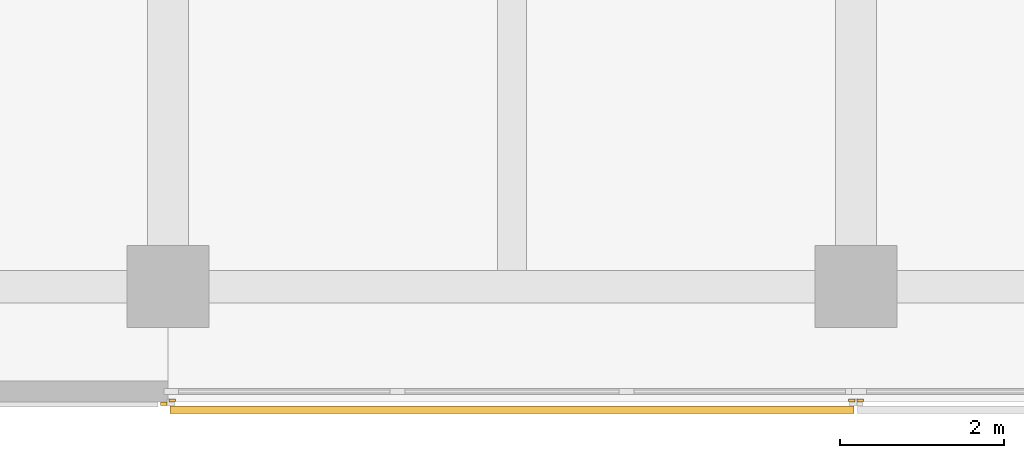
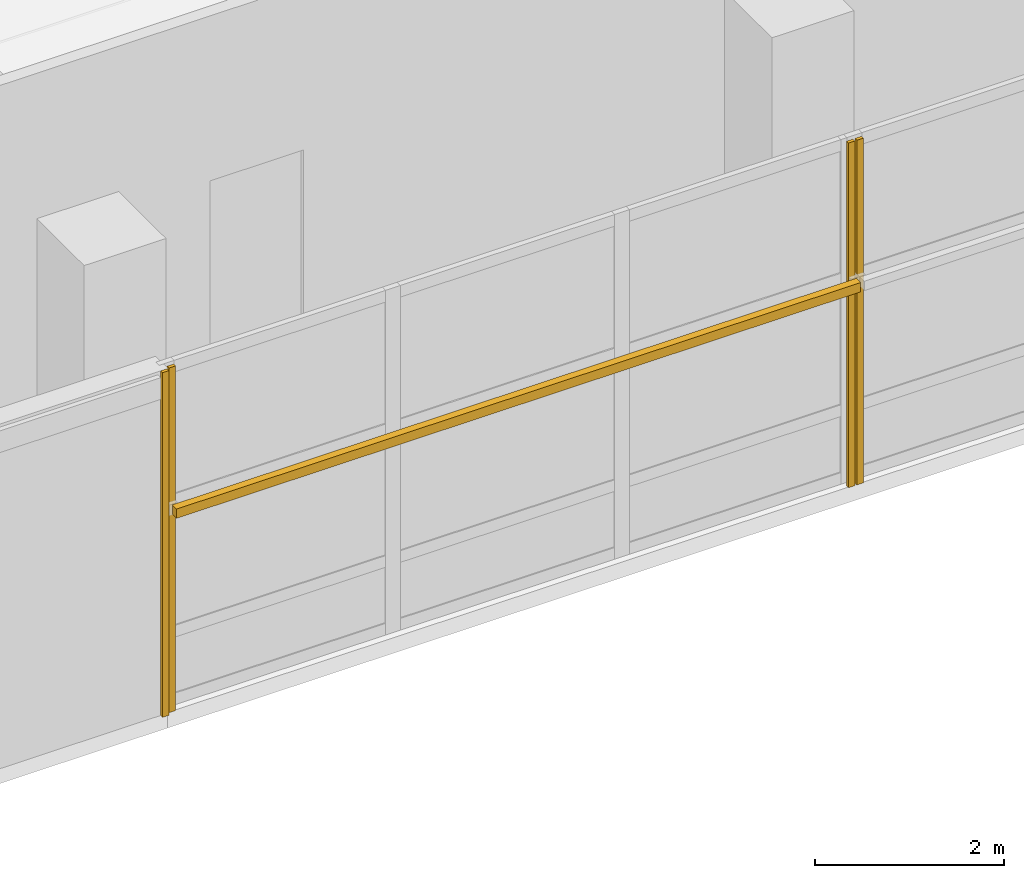
# One storey, part 114 of 140: 4 coverings, 1 shading device.
"""IFC4 building model written with IfcOpenShell, lengths in metres."""

from ifc_helpers import new_model, si_unit, direction, frame, origin, origin_2d, place, context, subcontext, project, spatial, rectangle, extrude, material, layer, layer_set, type_object, element, save


model = new_model("IFC4")

# Units and contexts
model_context = context("Model", 3, precision=1e-05, world=origin(), true_north=direction((0.0, 1.0)))
body_context = subcontext(model_context, "Body", "Model", "MODEL_VIEW")
ifc_project = project(units=[si_unit("LENGTHUNIT", "METRE"), si_unit("AREAUNIT", "SQUARE_METRE"), si_unit("VOLUMEUNIT", "CUBIC_METRE"), si_unit("PLANEANGLEUNIT", "RADIAN"), si_unit("MASSUNIT", "GRAM", prefix="KILO")], contexts=[model_context])

# Site, building, storey
site_placement = place(None, origin())
site = spatial("IfcSite", under=ifc_project, at=site_placement, CompositionType="ELEMENT")
building_placement = place(site_placement, origin())
building = spatial("IfcBuilding", under=site, at=building_placement, Name="Telukmera Botanical Conservatory", CompositionType="ELEMENT")
storey_placement = place(building_placement, origin())
storey = spatial("IfcBuildingStorey", under=building, at=storey_placement, Name="L00", CompositionType="ELEMENT", Elevation=0.0)

# Coverings
ifc_material_1 = material(Name="Granite-faced precast concrete C40/50", Category="masonry")
ifc_layer_1 = layer(ifc_material_1, 0.0400390625)
ifc_layer_set_1 = layer_set([ifc_layer_1], Name="Granite-faced precast concrete C40/50")
covering_type = type_object("IfcCoveringType", Name="Granite Precast Column Pier Reveal Casing", PredefinedType="CLADDING", material=ifc_layer_set_1)
for number, where, z_axis, x_axis, name in (
    (1, (92.347900390625, 9.169921875, 0.0), (0.0, 0.0, 1.0), (1.0, 0.0, 0.0), "Granite Pier Reveal V4:L00:S5 R"),
    (2, (92.451904296875, 9.2099609375, 0.0), (0.0, 0.0, 1.0), (1.0, 0.0, 0.0), "Granite Pier Reveal V4:L00:S6 L"),
    (3, (100.748046875, 9.2099609375, 0.0), (0.0, 0.0, 1.0), (1.0, 0.0, 0.0), "Granite Pier Reveal V4:L00:S6 R"),
    (4, (100.85205078125, 9.2099609375, 0.0), (0.0, 0.0, 1.0), (1.0, 0.0, 0.0), "Granite Pier Reveal V4:L00:S7 L"),
):
    element("IfcCovering", number, at=place(storey_placement, frame(where, z_axis=z_axis, x_axis=x_axis)), inside=storey, type_object=covering_type, Name=name, PredefinedType="CLADDING", context=body_context, shape_type="SweptSolid", body=[
        extrude(rectangle(XDim=0.080078125, YDim=0.0400390625, at=origin_2d()), origin(), (0.0, 0.0, 1.0), 4.449951171875),
    ])

# Shading device
ifc_material_2 = material(Name="Perforated terracotta-anodised aluminium 6063-T6", Category="masonry")
ifc_layer_2 = layer(ifc_material_2, 0.044921875)
ifc_layer_set_2 = layer_set([ifc_layer_2], Name="Perforated terracotta-anodised aluminium 6063-T6")
shading_device_type = type_object("IfcShadingDeviceType", Name="Perforated Terracotta Aluminium Monsoon Brise Soleil", PredefinedType="JALOUSIE", material=ifc_layer_set_2)
shading_device_placement = place(storey_placement, frame((96.60009765625, 9.094970703125, 2.58984375), z_axis=(0.0, 0.0, 1.0), x_axis=(1.0, 0.0, 0.0)))
element("IfcShadingDevice", 5, at=shading_device_placement, inside=storey, type_object=shading_device_type, Name="Monsoon Shading BS01 V4:L00:S6", PredefinedType="JALOUSIE", context=body_context, shape_type="SweptSolid", body=[
    extrude(rectangle(XDim=8.35595703125, YDim=0.090087890625, at=origin_2d()), origin(), (0.0, 0.0, 1.0), 0.1201171875),
])

save(model, "model.ifc")
